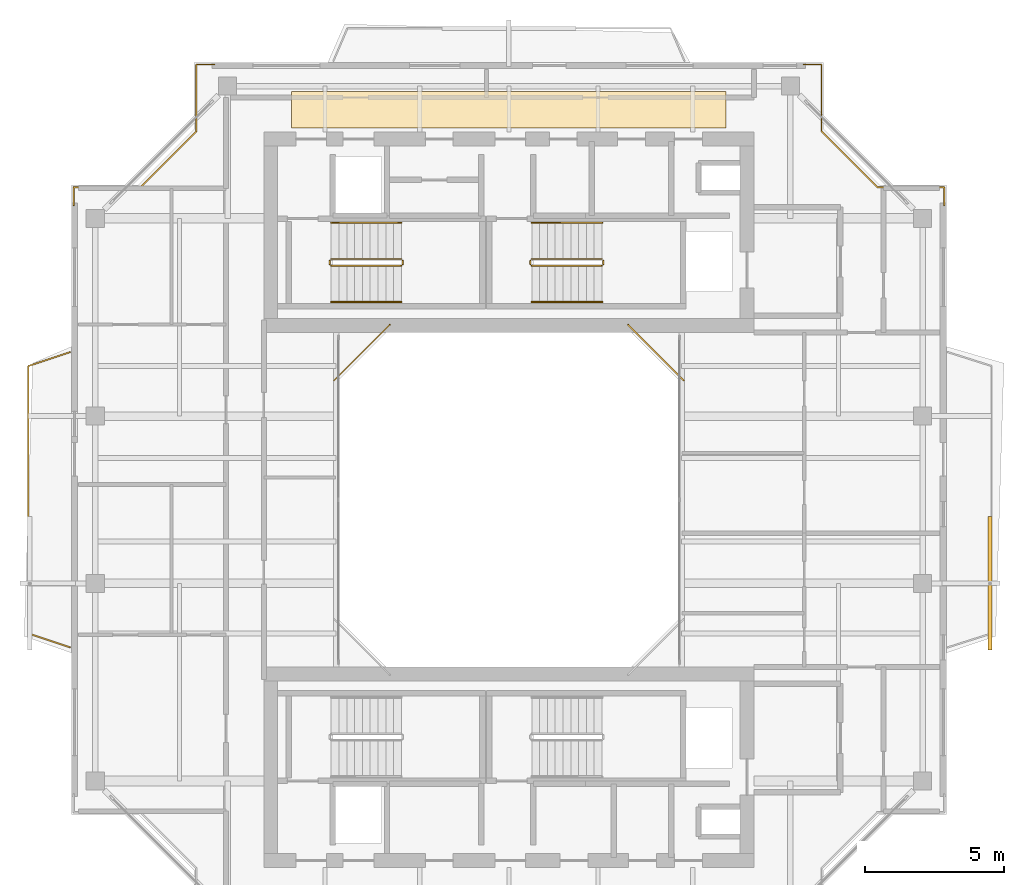
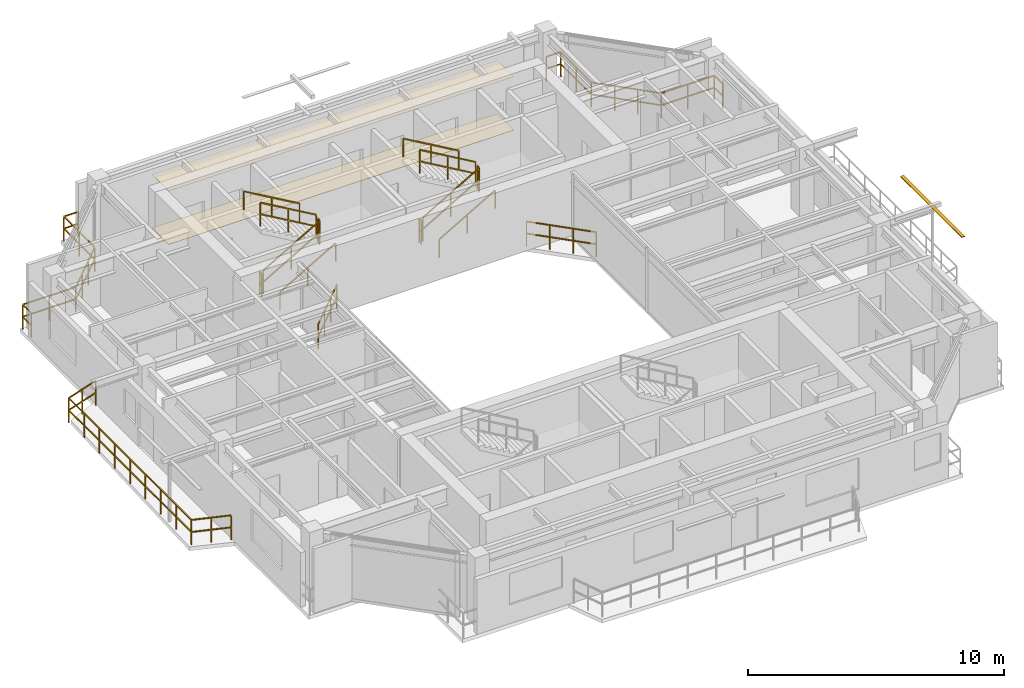
# One storey, part 14 of 15: 17 railings, 2 coverings, 1 shading device.
"""IFC4 building model written with IfcOpenShell, lengths in metres."""

from ifc_helpers import new_model, si_unit, direction, frame, origin, origin_2d, place, context, subcontext, project, spatial, polyline, rectangle, outline, extrude, source, transform, mapped, material, layer, layer_set, material_profile, profile_set, type_object, element, save


model = new_model("IFC4")

# Units and contexts
model_context = context("Model", 3, precision=1e-05, world=origin(), true_north=direction((0.0, 1.0)))
body_context = subcontext(model_context, "Body", "Model", "MODEL_VIEW")
ifc_project = project(units=[si_unit("LENGTHUNIT", "METRE"), si_unit("AREAUNIT", "SQUARE_METRE"), si_unit("VOLUMEUNIT", "CUBIC_METRE"), si_unit("PLANEANGLEUNIT", "RADIAN"), si_unit("MASSUNIT", "GRAM", prefix="KILO"), si_unit("THERMODYNAMICTEMPERATUREUNIT", "KELVIN"), si_unit("POWERUNIT", "WATT")], contexts=[model_context])

# Site, building, storey
site_placement = place(None, origin())
site = spatial("IfcSite", under=ifc_project, at=site_placement, CompositionType="ELEMENT")
building_placement = place(site_placement, origin())
building = spatial("IfcBuilding", under=site, at=building_placement, Name="Qiaomeng Ring Towers", CompositionType="ELEMENT")
storey_placement = place(building_placement, frame((0.0, 0.0, 250.25)))
storey = spatial("IfcBuildingStorey", under=building, at=storey_placement, Name="L73", CompositionType="ELEMENT", Elevation=250.25)

# Coverings
ifc_material_1 = material(Name="Moisture-resistant gypsum ceiling board", Category="gypsum")
ifc_layer_1 = layer(ifc_material_1, 0.030029296875, Name="Moisture-resistant gypsum ceiling board")
ifc_layer_set_1 = layer_set([ifc_layer_1], Name="Moisture-resistant gypsum ceiling board")
covering_type_1 = type_object("IfcCoveringType", Name="ARC-COV-CEIL2", PredefinedType="CEILING", material=ifc_layer_set_1)
covering_1_placement = place(storey_placement, frame((0.0, 0.0, 2.550048828125)))
element("IfcCovering", 1, at=covering_1_placement, inside=storey, type_object=covering_type_1, Name="L73 Corridor Acoustic Ceiling", PredefinedType="CEILING", context=body_context, shape_type="SweptSolid", body=[
    extrude(outline(polyline([(11.199951171875, 36.35009765625), (11.199951171875, 37.64990234375), (26.800048828125, 37.64990234375), (26.800048828125, 36.35009765625), (11.199951171875, 36.35009765625)])), origin(), (0.0, 0.0, 1.0), 0.02490234375),
])
ifc_material_2 = material(Name="Vitrified porcelain floor tile", Category="ceramic")
ifc_layer_2 = layer(ifc_material_2, 0.02001953125, Name="Vitrified porcelain floor tile")
ifc_layer_set_2 = layer_set([ifc_layer_2], Name="Vitrified porcelain floor tile")
covering_type_2 = type_object("IfcCoveringType", Name="ARC-COV-FLR1", PredefinedType="FLOORING", material=ifc_layer_set_2)
covering_2_placement = place(storey_placement, origin())
element("IfcCovering", 2, at=covering_2_placement, inside=storey, type_object=covering_type_2, Name="L73 Corridor Stone Flooring", PredefinedType="FLOORING", context=body_context, shape_type="SweptSolid", body=[
    extrude(outline(polyline([(11.199951171875, 36.35009765625), (11.199951171875, 37.64990234375), (26.800048828125, 37.64990234375), (26.800048828125, 36.35009765625), (11.199951171875, 36.35009765625)])), origin(), (0.0, 0.0, 1.0), 0.02001953125),
])

# Railings
ifc_material_3 = material(Name="Low-E pale-green laminated safety glass", Category="glass")
railing_type_1 = type_object("IfcRailingType", Name="ARC-RL-BAL1", PredefinedType="BALUSTRADE", material=ifc_material_3)
railing_1_placement = place(storey_placement, frame((25.280029296875, 27.280029296875, 0.0)))
element("IfcRailing", 3, at=railing_1_placement, inside=storey, type_object=railing_type_1, Name="L73 Balustrade ARC-BAL-WELL1-L73-2", PredefinedType="BALUSTRADE", context=body_context, shape_type="SweptSolid", body=[
    extrude(rectangle(XDim=0.048095703125, YDim=0.048095703125, at=origin_2d()), frame((0.0, 0.0, 1.17578125), z_axis=(-0.707106781187, 0.707106781187, 0.0), x_axis=(-0.707106781187, -0.707106781187, 0.0)), (0.0, 0.0, 1.0), 2.828369140625),
    extrude(rectangle(XDim=0.048095703125, YDim=0.048095703125, at=origin_2d()), frame((0.0, 0.0, 0.60009765625), z_axis=(-0.707106781187, 0.707106781187, 0.0), x_axis=(-0.707106781187, -0.707106781187, 0.0)), (0.0, 0.0, 1.0), 2.828369140625),
    extrude(rectangle(XDim=0.0419921875, YDim=0.0419921875, at=origin_2d()), origin(), (0.0, 0.0, 1.0), 1.15185546875),
    extrude(rectangle(XDim=0.0419921875, YDim=0.0419921875, at=origin_2d()), frame((-0.666748046875, 0.666748046875, 0.0)), (0.0, 0.0, 1.0), 1.15185546875),
    extrude(rectangle(XDim=0.0419921875, YDim=0.0419921875, at=origin_2d()), frame((-1.333251953125, 1.333251953125, 0.0)), (0.0, 0.0, 1.0), 1.15185546875),
    extrude(rectangle(XDim=0.0419921875, YDim=0.0419921875, at=origin_2d()), frame((-2.0, 2.0, 0.0)), (0.0, 0.0, 1.0), 1.15185546875),
])
railing_2_placement = place(storey_placement, frame((14.719970703125, 29.280029296875, 0.0)))
element("IfcRailing", 4, at=railing_2_placement, inside=storey, type_object=railing_type_1, Name="L73 Balustrade ARC-BAL-WELL1-L73-3", PredefinedType="BALUSTRADE", context=body_context, shape_type="SweptSolid", body=[
    extrude(rectangle(XDim=0.048095703125, YDim=0.048095703125, at=origin_2d()), frame((0.0, 0.0, 1.17578125), z_axis=(-0.707106781187, -0.707106781187, 0.0), x_axis=(0.707106781187, -0.707106781187, 0.0)), (0.0, 0.0, 1.0), 2.828369140625),
    extrude(rectangle(XDim=0.048095703125, YDim=0.048095703125, at=origin_2d()), frame((0.0, 0.0, 0.60009765625), z_axis=(-0.707106781187, -0.707106781187, 0.0), x_axis=(0.707106781187, -0.707106781187, 0.0)), (0.0, 0.0, 1.0), 2.828369140625),
    extrude(rectangle(XDim=0.0419921875, YDim=0.0419921875, at=origin_2d()), origin(), (0.0, 0.0, 1.0), 1.15185546875),
    extrude(rectangle(XDim=0.0419921875, YDim=0.0419921875, at=origin_2d()), frame((-0.666748046875, -0.666748046875, 0.0)), (0.0, 0.0, 1.0), 1.15185546875),
    extrude(rectangle(XDim=0.0419921875, YDim=0.0419921875, at=origin_2d()), frame((-1.333251953125, -1.333251953125, 0.0)), (0.0, 0.0, 1.0), 1.15185546875),
    extrude(rectangle(XDim=0.0419921875, YDim=0.0419921875, at=origin_2d()), frame((-2.0, -2.0, 0.0)), (0.0, 0.0, 1.0), 1.15185546875),
])
railing_3_placement = place(storey_placement, frame((34.6201171875, 33.570068359375, 0.0)))
element("IfcRailing", 5, at=railing_3_placement, inside=storey, type_object=railing_type_1, Name="L73 Balustrade ARC-BAL-NOTCH1-L73-NE", PredefinedType="BALUSTRADE", context=body_context, shape_type="SweptSolid", body=[
    extrude(rectangle(XDim=0.048095703125, YDim=0.048095703125, at=origin_2d()), frame((0.0, 0.0, 1.17578125), z_axis=(0.0, 1.0, 0.0), x_axis=(-1.0, 0.0, 0.0)), (0.0, 0.0, 1.0), 0.64990234375),
    extrude(rectangle(XDim=0.048095703125, YDim=0.048095703125, at=origin_2d()), frame((0.0, 0.0, 0.60009765625), z_axis=(0.0, 1.0, 0.0), x_axis=(-1.0, 0.0, 0.0)), (0.0, 0.0, 1.0), 0.64990234375),
    extrude(rectangle(XDim=0.048095703125, YDim=0.048095703125, at=origin_2d()), frame((0.0, 0.64990234375, 1.17578125), z_axis=(-1.0, 0.0, 0.0), x_axis=(0.0, -1.0, 0.0)), (0.0, 0.0, 1.0), 2.400146484375),
    extrude(rectangle(XDim=0.048095703125, YDim=0.048095703125, at=origin_2d()), frame((0.0, 0.64990234375, 0.60009765625), z_axis=(-1.0, 0.0, 0.0), x_axis=(0.0, -1.0, 0.0)), (0.0, 0.0, 1.0), 2.400146484375),
    extrude(rectangle(XDim=0.048095703125, YDim=0.048095703125, at=origin_2d()), frame((-2.400146484375, 0.64990234375, 1.17578125), z_axis=(-0.707106781187, 0.707106781187, 0.0), x_axis=(-0.707106781187, -0.707106781187, 0.0)), (0.0, 0.0, 1.0), 2.828369140625),
    extrude(rectangle(XDim=0.048095703125, YDim=0.048095703125, at=origin_2d()), frame((-2.400146484375, 0.64990234375, 0.60009765625), z_axis=(-0.707106781187, 0.707106781187, 0.0), x_axis=(-0.707106781187, -0.707106781187, 0.0)), (0.0, 0.0, 1.0), 2.828369140625),
    extrude(rectangle(XDim=0.048095703125, YDim=0.048095703125, at=origin_2d()), frame((-4.400146484375, 2.64990234375, 1.17578125), z_axis=(0.0, 1.0, 0.0), x_axis=(-1.0, 0.0, 0.0)), (0.0, 0.0, 1.0), 2.400146484375),
    extrude(rectangle(XDim=0.048095703125, YDim=0.048095703125, at=origin_2d()), frame((-4.400146484375, 2.64990234375, 0.60009765625), z_axis=(0.0, 1.0, 0.0), x_axis=(-1.0, 0.0, 0.0)), (0.0, 0.0, 1.0), 2.400146484375),
    extrude(rectangle(XDim=0.048095703125, YDim=0.048095703125, at=origin_2d()), frame((-4.400146484375, 5.050048828125, 1.17578125), z_axis=(-1.0, 0.0, 0.0), x_axis=(0.0, -1.0, 0.0)), (0.0, 0.0, 1.0), 0.64990234375),
    extrude(rectangle(XDim=0.048095703125, YDim=0.048095703125, at=origin_2d()), frame((-4.400146484375, 5.050048828125, 0.60009765625), z_axis=(-1.0, 0.0, 0.0), x_axis=(0.0, -1.0, 0.0)), (0.0, 0.0, 1.0), 0.64990234375),
    extrude(rectangle(XDim=0.0419921875, YDim=0.0419921875, at=origin_2d()), origin(), (0.0, 0.0, 1.0), 1.15185546875),
    extrude(rectangle(XDim=0.0419921875, YDim=0.0419921875, at=origin_2d()), frame((0.0, 0.64990234375, 0.0)), (0.0, 0.0, 1.0), 1.15185546875),
    extrude(rectangle(XDim=0.0419921875, YDim=0.0419921875, at=origin_2d()), frame((-1.2001953125, 0.64990234375, 0.0)), (0.0, 0.0, 1.0), 1.15185546875),
    extrude(rectangle(XDim=0.0419921875, YDim=0.0419921875, at=origin_2d()), frame((-2.400146484375, 0.64990234375, 0.0)), (0.0, 0.0, 1.0), 1.15185546875),
    extrude(rectangle(XDim=0.0419921875, YDim=0.0419921875, at=origin_2d()), frame((-3.06689453125, 1.316650390625, 0.0)), (0.0, 0.0, 1.0), 1.15185546875),
    extrude(rectangle(XDim=0.0419921875, YDim=0.0419921875, at=origin_2d()), frame((-3.7333984375, 1.983154296875, 0.0)), (0.0, 0.0, 1.0), 1.15185546875),
    extrude(rectangle(XDim=0.0419921875, YDim=0.0419921875, at=origin_2d()), frame((-4.400146484375, 2.64990234375, 0.0)), (0.0, 0.0, 1.0), 1.15185546875),
    extrude(rectangle(XDim=0.0419921875, YDim=0.0419921875, at=origin_2d()), frame((-4.400146484375, 3.85009765625, 0.0)), (0.0, 0.0, 1.0), 1.15185546875),
    extrude(rectangle(XDim=0.0419921875, YDim=0.0419921875, at=origin_2d()), frame((-4.400146484375, 5.050048828125, 0.0)), (0.0, 0.0, 1.0), 1.15185546875),
    extrude(rectangle(XDim=0.0419921875, YDim=0.0419921875, at=origin_2d()), frame((-5.050048828125, 5.050048828125, 0.0)), (0.0, 0.0, 1.0), 1.15185546875),
])
railing_4_placement = place(storey_placement, frame((8.429931640625, 38.6201171875, 0.0)))
element("IfcRailing", 6, at=railing_4_placement, inside=storey, type_object=railing_type_1, Name="L73 Balustrade ARC-BAL-NOTCH1-L73-NW", PredefinedType="BALUSTRADE", context=body_context, shape_type="SweptSolid", body=[
    extrude(rectangle(XDim=0.048095703125, YDim=0.048095703125, at=origin_2d()), frame((0.0, 0.0, 1.17578125), z_axis=(-1.0, 0.0, 0.0), x_axis=(0.0, -1.0, 0.0)), (0.0, 0.0, 1.0), 0.64990234375),
    extrude(rectangle(XDim=0.048095703125, YDim=0.048095703125, at=origin_2d()), frame((0.0, 0.0, 0.60009765625), z_axis=(-1.0, 0.0, 0.0), x_axis=(0.0, -1.0, 0.0)), (0.0, 0.0, 1.0), 0.64990234375),
    extrude(rectangle(XDim=0.048095703125, YDim=0.048095703125, at=origin_2d()), frame((-0.64990234375, 0.0, 1.17578125), z_axis=(0.0, -1.0, 0.0), x_axis=(1.0, 0.0, 0.0)), (0.0, 0.0, 1.0), 2.400146484375),
    extrude(rectangle(XDim=0.048095703125, YDim=0.048095703125, at=origin_2d()), frame((-0.64990234375, 0.0, 0.60009765625), z_axis=(0.0, -1.0, 0.0), x_axis=(1.0, 0.0, 0.0)), (0.0, 0.0, 1.0), 2.400146484375),
    extrude(rectangle(XDim=0.048095703125, YDim=0.048095703125, at=origin_2d()), frame((-0.64990234375, -2.400146484375, 1.17578125), z_axis=(-0.707106781187, -0.707106781187, 0.0), x_axis=(0.707106781187, -0.707106781187, 0.0)), (0.0, 0.0, 1.0), 2.828369140625),
    extrude(rectangle(XDim=0.048095703125, YDim=0.048095703125, at=origin_2d()), frame((-0.64990234375, -2.400146484375, 0.60009765625), z_axis=(-0.707106781187, -0.707106781187, 0.0), x_axis=(0.707106781187, -0.707106781187, 0.0)), (0.0, 0.0, 1.0), 2.828369140625),
    extrude(rectangle(XDim=0.048095703125, YDim=0.048095703125, at=origin_2d()), frame((-2.64990234375, -4.400146484375, 1.17578125), z_axis=(-1.0, 0.0, 0.0), x_axis=(0.0, -1.0, 0.0)), (0.0, 0.0, 1.0), 2.400146484375),
    extrude(rectangle(XDim=0.048095703125, YDim=0.048095703125, at=origin_2d()), frame((-2.64990234375, -4.400146484375, 0.60009765625), z_axis=(-1.0, 0.0, 0.0), x_axis=(0.0, -1.0, 0.0)), (0.0, 0.0, 1.0), 2.400146484375),
    extrude(rectangle(XDim=0.048095703125, YDim=0.048095703125, at=origin_2d()), frame((-5.050048828125, -4.400146484375, 1.17578125), z_axis=(0.0, -1.0, 0.0), x_axis=(1.0, 0.0, 0.0)), (0.0, 0.0, 1.0), 0.64990234375),
    extrude(rectangle(XDim=0.048095703125, YDim=0.048095703125, at=origin_2d()), frame((-5.050048828125, -4.400146484375, 0.60009765625), z_axis=(0.0, -1.0, 0.0), x_axis=(1.0, 0.0, 0.0)), (0.0, 0.0, 1.0), 0.64990234375),
    extrude(rectangle(XDim=0.0419921875, YDim=0.0419921875, at=origin_2d()), origin(), (0.0, 0.0, 1.0), 1.15185546875),
    extrude(rectangle(XDim=0.0419921875, YDim=0.0419921875, at=origin_2d()), frame((-0.64990234375, 0.0, 0.0)), (0.0, 0.0, 1.0), 1.15185546875),
    extrude(rectangle(XDim=0.0419921875, YDim=0.0419921875, at=origin_2d()), frame((-0.64990234375, -1.2001953125, 0.0)), (0.0, 0.0, 1.0), 1.15185546875),
    extrude(rectangle(XDim=0.0419921875, YDim=0.0419921875, at=origin_2d()), frame((-0.64990234375, -2.400146484375, 0.0)), (0.0, 0.0, 1.0), 1.15185546875),
    extrude(rectangle(XDim=0.0419921875, YDim=0.0419921875, at=origin_2d()), frame((-1.316650390625, -3.06689453125, 0.0)), (0.0, 0.0, 1.0), 1.15185546875),
    extrude(rectangle(XDim=0.0419921875, YDim=0.0419921875, at=origin_2d()), frame((-1.983154296875, -3.7333984375, 0.0)), (0.0, 0.0, 1.0), 1.15185546875),
    extrude(rectangle(XDim=0.0419921875, YDim=0.0419921875, at=origin_2d()), frame((-2.64990234375, -4.400146484375, 0.0)), (0.0, 0.0, 1.0), 1.15185546875),
    extrude(rectangle(XDim=0.0419921875, YDim=0.0419921875, at=origin_2d()), frame((-3.85009765625, -4.400146484375, 0.0)), (0.0, 0.0, 1.0), 1.15185546875),
    extrude(rectangle(XDim=0.0419921875, YDim=0.0419921875, at=origin_2d()), frame((-5.050048828125, -4.400146484375, 0.0)), (0.0, 0.0, 1.0), 1.15185546875),
    extrude(rectangle(XDim=0.0419921875, YDim=0.0419921875, at=origin_2d()), frame((-5.050048828125, -5.050048828125, 0.0)), (0.0, 0.0, 1.0), 1.15185546875),
])
railing_5_placement = place(storey_placement, frame((3.25, 17.699951171875, 0.0)))
element("IfcRailing", 7, at=railing_5_placement, inside=storey, type_object=railing_type_1, Name="L73 Balustrade ARC-BAL-L73-T1-W", PredefinedType="BALUSTRADE", context=body_context, shape_type="SweptSolid", body=[
    extrude(rectangle(XDim=0.048095703125, YDim=0.048095703125, at=origin_2d()), frame((0.0, 0.0, 1.17578125), z_axis=(-0.948683298051, 0.316227766017, 0.0), x_axis=(-0.316227766017, -0.948683298051, 0.0)), (0.0, 0.0, 1.0), 1.5810546875),
    extrude(rectangle(XDim=0.048095703125, YDim=0.048095703125, at=origin_2d()), frame((0.0, 0.0, 0.60009765625), z_axis=(-0.948683298051, 0.316227766017, 0.0), x_axis=(-0.316227766017, -0.948683298051, 0.0)), (0.0, 0.0, 1.0), 1.5810546875),
    extrude(rectangle(XDim=0.048095703125, YDim=0.048095703125, at=origin_2d()), frame((-1.5, 0.5, 1.17578125), z_axis=(0.0, 1.0, 0.0), x_axis=(-1.0, 0.0, 0.0)), (0.0, 0.0, 1.0), 9.60009765625),
    extrude(rectangle(XDim=0.048095703125, YDim=0.048095703125, at=origin_2d()), frame((-1.5, 0.5, 0.60009765625), z_axis=(0.0, 1.0, 0.0), x_axis=(-1.0, 0.0, 0.0)), (0.0, 0.0, 1.0), 9.60009765625),
    extrude(rectangle(XDim=0.048095703125, YDim=0.048095703125, at=origin_2d()), frame((-1.5, 10.10009765625, 1.17578125), z_axis=(0.948683298051, 0.316227766017, 0.0), x_axis=(-0.316227766017, 0.948683298051, 0.0)), (0.0, 0.0, 1.0), 1.5810546875),
    extrude(rectangle(XDim=0.048095703125, YDim=0.048095703125, at=origin_2d()), frame((-1.5, 10.10009765625, 0.60009765625), z_axis=(0.948683298051, 0.316227766017, 0.0), x_axis=(-0.316227766017, 0.948683298051, 0.0)), (0.0, 0.0, 1.0), 1.5810546875),
    extrude(rectangle(XDim=0.0419921875, YDim=0.0419921875, at=origin_2d()), origin(), (0.0, 0.0, 1.0), 1.15185546875),
    extrude(rectangle(XDim=0.0419921875, YDim=0.0419921875, at=origin_2d()), frame((-0.75, 0.25, 0.0)), (0.0, 0.0, 1.0), 1.15185546875),
    extrude(rectangle(XDim=0.0419921875, YDim=0.0419921875, at=origin_2d()), frame((-1.5, 0.5, 0.0)), (0.0, 0.0, 1.0), 1.15185546875),
    extrude(rectangle(XDim=0.0419921875, YDim=0.0419921875, at=origin_2d()), frame((-1.5, 1.699951171875, 0.0)), (0.0, 0.0, 1.0), 1.15185546875),
    extrude(rectangle(XDim=0.0419921875, YDim=0.0419921875, at=origin_2d()), frame((-1.5, 2.89990234375, 0.0)), (0.0, 0.0, 1.0), 1.15185546875),
    extrude(rectangle(XDim=0.0419921875, YDim=0.0419921875, at=origin_2d()), frame((-1.5, 4.10009765625, 0.0)), (0.0, 0.0, 1.0), 1.15185546875),
    extrude(rectangle(XDim=0.0419921875, YDim=0.0419921875, at=origin_2d()), frame((-1.5, 5.300048828125, 0.0)), (0.0, 0.0, 1.0), 1.15185546875),
    extrude(rectangle(XDim=0.0419921875, YDim=0.0419921875, at=origin_2d()), frame((-1.5, 6.5, 0.0)), (0.0, 0.0, 1.0), 1.15185546875),
    extrude(rectangle(XDim=0.0419921875, YDim=0.0419921875, at=origin_2d()), frame((-1.5, 7.7001953125, 0.0)), (0.0, 0.0, 1.0), 1.15185546875),
    extrude(rectangle(XDim=0.0419921875, YDim=0.0419921875, at=origin_2d()), frame((-1.5, 8.900146484375, 0.0)), (0.0, 0.0, 1.0), 1.15185546875),
    extrude(rectangle(XDim=0.0419921875, YDim=0.0419921875, at=origin_2d()), frame((-1.5, 10.10009765625, 0.0)), (0.0, 0.0, 1.0), 1.15185546875),
    extrude(rectangle(XDim=0.0419921875, YDim=0.0419921875, at=origin_2d()), frame((-0.75, 10.35009765625, 0.0)), (0.0, 0.0, 1.0), 1.15185546875),
    extrude(rectangle(XDim=0.0419921875, YDim=0.0419921875, at=origin_2d()), frame((0.0, 10.60009765625, 0.0)), (0.0, 0.0, 1.0), 1.15185546875),
])
ifc_material_4 = material(Name="Galvanised steel", Category="steel")
railing_type_2 = type_object("IfcRailingType", Name="ARC-RL-GUARD", PredefinedType="GUARDRAIL", material=ifc_material_4)
railing_6_placement = place(storey_placement, frame((12.6201171875, 31.39990234375, 0.16259765625)))
element("IfcRailing", 8, at=railing_6_placement, inside=storey, type_object=railing_type_2, Name="L73 ST1 stair guard 1", PredefinedType="GUARDRAIL", context=body_context, shape_type="SweptSolid", body=[
    extrude(rectangle(XDim=0.048095703125, YDim=0.048095703125, at=origin_2d()), frame((0.0, 0.0, 1.1259765625), z_axis=(0.864892226395, 0.0, 0.501957604506), x_axis=(0.0, 1.0, 0.0)), (0.0, 0.0, 1.0), 2.913330078125),
    extrude(rectangle(XDim=0.048095703125, YDim=0.048095703125, at=origin_2d()), frame((0.0, 0.0, 0.574951171875), z_axis=(0.864892226395, 0.0, 0.501957604506), x_axis=(0.0, 1.0, 0.0)), (0.0, 0.0, 1.0), 2.913330078125),
    extrude(rectangle(XDim=0.0419921875, YDim=0.0419921875, at=origin_2d()), origin(), (0.0, 0.0, 1.0), 1.101806640625),
    extrude(rectangle(XDim=0.0419921875, YDim=0.0419921875, at=origin_2d()), frame((1.259765625, 0.0, 0.731201171875)), (0.0, 0.0, 1.0), 1.101806640625),
    extrude(rectangle(XDim=0.0419921875, YDim=0.0419921875, at=origin_2d()), frame((2.519775390625, 0.0, 1.46240234375)), (0.0, 0.0, 1.0), 1.101806640625),
])
railing_7_placement = place(storey_placement, frame((15.18994140625, 31.449951171875, 1.625)))
element("IfcRailing", 9, at=railing_7_placement, inside=storey, type_object=railing_type_2, Name="L73 ST1 stair guard 2", PredefinedType="GUARDRAIL", context=body_context, shape_type="SweptSolid", body=[
    extrude(rectangle(XDim=0.048095703125, YDim=0.048095703125, at=origin_2d()), frame((0.0, 0.0, 1.1259765625), z_axis=(0.0, 1.0, 0.0), x_axis=(-1.0, 0.0, 0.0)), (0.0, 0.0, 1.0), 0.14013671875),
    extrude(rectangle(XDim=0.048095703125, YDim=0.048095703125, at=origin_2d()), frame((0.0, 0.0, 0.574951171875), z_axis=(0.0, 1.0, 0.0), x_axis=(-1.0, 0.0, 0.0)), (0.0, 0.0, 1.0), 0.14013671875),
    extrude(rectangle(XDim=0.0419921875, YDim=0.0419921875, at=origin_2d()), origin(), (0.0, 0.0, 1.0), 1.101806640625),
    extrude(rectangle(XDim=0.0419921875, YDim=0.0419921875, at=origin_2d()), frame((0.0, 0.14013671875, 0.0)), (0.0, 0.0, 1.0), 1.101806640625),
])
railing_8_placement = place(storey_placement, frame((15.139892578125, 31.639892578125, 1.78759765625)))
element("IfcRailing", 10, at=railing_8_placement, inside=storey, type_object=railing_type_2, Name="L73 ST1 stair guard 3", PredefinedType="GUARDRAIL", context=body_context, shape_type="SweptSolid", body=[
    extrude(rectangle(XDim=0.048095703125, YDim=0.048095703125, at=origin_2d()), frame((0.0, 0.0, 1.1259765625), z_axis=(-0.864892226395, 0.0, 0.501957604506), x_axis=(0.0, -1.0, 0.0)), (0.0, 0.0, 1.0), 2.913330078125),
    extrude(rectangle(XDim=0.048095703125, YDim=0.048095703125, at=origin_2d()), frame((0.0, 0.0, 0.574951171875), z_axis=(-0.864892226395, 0.0, 0.501957604506), x_axis=(0.0, -1.0, 0.0)), (0.0, 0.0, 1.0), 2.913330078125),
    extrude(rectangle(XDim=0.0419921875, YDim=0.0419921875, at=origin_2d()), origin(), (0.0, 0.0, 1.0), 1.101806640625),
    extrude(rectangle(XDim=0.0419921875, YDim=0.0419921875, at=origin_2d()), frame((-1.259765625, 0.0, 0.731201171875)), (0.0, 0.0, 1.0), 1.101806640625),
    extrude(rectangle(XDim=0.0419921875, YDim=0.0419921875, at=origin_2d()), frame((-2.519775390625, 0.0, 1.46240234375)), (0.0, 0.0, 1.0), 1.101806640625),
])
railing_9_placement = place(storey_placement, frame((12.570068359375, 31.449951171875, 0.0)))
element("IfcRailing", 11, at=railing_9_placement, inside=storey, type_object=railing_type_2, Name="L73 ST1 stair guard 4", PredefinedType="GUARDRAIL", context=body_context, shape_type="SweptSolid", body=[
    extrude(rectangle(XDim=0.048095703125, YDim=0.048095703125, at=origin_2d()), frame((0.0, 0.0, 1.1259765625), z_axis=(0.0, 1.0, 0.0), x_axis=(-1.0, 0.0, 0.0)), (0.0, 0.0, 1.0), 0.14013671875),
    extrude(rectangle(XDim=0.048095703125, YDim=0.048095703125, at=origin_2d()), frame((0.0, 0.0, 0.574951171875), z_axis=(0.0, 1.0, 0.0), x_axis=(-1.0, 0.0, 0.0)), (0.0, 0.0, 1.0), 0.14013671875),
    extrude(rectangle(XDim=0.0419921875, YDim=0.0419921875, at=origin_2d()), origin(), (0.0, 0.0, 1.0), 1.101806640625),
    extrude(rectangle(XDim=0.0419921875, YDim=0.0419921875, at=origin_2d()), frame((0.0, 0.14013671875, 0.0)), (0.0, 0.0, 1.0), 1.101806640625),
])
railing_10_placement = place(storey_placement, frame((19.820068359375, 31.39990234375, 0.16259765625)))
element("IfcRailing", 12, at=railing_10_placement, inside=storey, type_object=railing_type_2, Name="L73 ST2 stair guard 1", PredefinedType="GUARDRAIL", context=body_context, shape_type="SweptSolid", body=[
    extrude(rectangle(XDim=0.048095703125, YDim=0.048095703125, at=origin_2d()), frame((0.0, 0.0, 1.1259765625), z_axis=(0.864913338283, 0.0, 0.50192122615), x_axis=(0.0, 1.0, 0.0)), (0.0, 0.0, 1.0), 2.91357421875),
    extrude(rectangle(XDim=0.048095703125, YDim=0.048095703125, at=origin_2d()), frame((0.0, 0.0, 0.574951171875), z_axis=(0.864913338283, 0.0, 0.50192122615), x_axis=(0.0, 1.0, 0.0)), (0.0, 0.0, 1.0), 2.91357421875),
    extrude(rectangle(XDim=0.0419921875, YDim=0.0419921875, at=origin_2d()), origin(), (0.0, 0.0, 1.0), 1.101806640625),
    extrude(rectangle(XDim=0.0419921875, YDim=0.0419921875, at=origin_2d()), frame((1.260009765625, 0.0, 0.731201171875)), (0.0, 0.0, 1.0), 1.101806640625),
    extrude(rectangle(XDim=0.0419921875, YDim=0.0419921875, at=origin_2d()), frame((2.52001953125, 0.0, 1.46240234375)), (0.0, 0.0, 1.0), 1.101806640625),
])
railing_11_placement = place(storey_placement, frame((22.389892578125, 31.449951171875, 1.625)))
element("IfcRailing", 13, at=railing_11_placement, inside=storey, type_object=railing_type_2, Name="L73 ST2 stair guard 2", PredefinedType="GUARDRAIL", context=body_context, shape_type="SweptSolid", body=[
    extrude(rectangle(XDim=0.048095703125, YDim=0.048095703125, at=origin_2d()), frame((0.0, 0.0, 1.1259765625), z_axis=(0.0, 1.0, 0.0), x_axis=(-1.0, 0.0, 0.0)), (0.0, 0.0, 1.0), 0.14013671875),
    extrude(rectangle(XDim=0.048095703125, YDim=0.048095703125, at=origin_2d()), frame((0.0, 0.0, 0.574951171875), z_axis=(0.0, 1.0, 0.0), x_axis=(-1.0, 0.0, 0.0)), (0.0, 0.0, 1.0), 0.14013671875),
    extrude(rectangle(XDim=0.0419921875, YDim=0.0419921875, at=origin_2d()), origin(), (0.0, 0.0, 1.0), 1.101806640625),
    extrude(rectangle(XDim=0.0419921875, YDim=0.0419921875, at=origin_2d()), frame((0.0, 0.14013671875, 0.0)), (0.0, 0.0, 1.0), 1.101806640625),
])
railing_12_placement = place(storey_placement, frame((22.340087890625, 31.639892578125, 1.78759765625)))
element("IfcRailing", 14, at=railing_12_placement, inside=storey, type_object=railing_type_2, Name="L73 ST2 stair guard 3", PredefinedType="GUARDRAIL", context=body_context, shape_type="SweptSolid", body=[
    extrude(rectangle(XDim=0.048095703125, YDim=0.048095703125, at=origin_2d()), frame((0.0, 0.0, 1.1259765625), z_axis=(-0.864913338283, 0.0, 0.50192122615), x_axis=(0.0, -1.0, 0.0)), (0.0, 0.0, 1.0), 2.91357421875),
    extrude(rectangle(XDim=0.048095703125, YDim=0.048095703125, at=origin_2d()), frame((0.0, 0.0, 0.574951171875), z_axis=(-0.864913338283, 0.0, 0.50192122615), x_axis=(0.0, -1.0, 0.0)), (0.0, 0.0, 1.0), 2.91357421875),
    extrude(rectangle(XDim=0.0419921875, YDim=0.0419921875, at=origin_2d()), origin(), (0.0, 0.0, 1.0), 1.101806640625),
    extrude(rectangle(XDim=0.0419921875, YDim=0.0419921875, at=origin_2d()), frame((-1.260009765625, 0.0, 0.731201171875)), (0.0, 0.0, 1.0), 1.101806640625),
    extrude(rectangle(XDim=0.0419921875, YDim=0.0419921875, at=origin_2d()), frame((-2.52001953125, 0.0, 1.46240234375)), (0.0, 0.0, 1.0), 1.101806640625),
])
railing_13_placement = place(storey_placement, frame((19.77001953125, 31.449951171875, 0.0)))
element("IfcRailing", 15, at=railing_13_placement, inside=storey, type_object=railing_type_2, Name="L73 ST2 stair guard 4", PredefinedType="GUARDRAIL", context=body_context, shape_type="SweptSolid", body=[
    extrude(rectangle(XDim=0.048095703125, YDim=0.048095703125, at=origin_2d()), frame((0.0, 0.0, 1.1259765625), z_axis=(0.0, 1.0, 0.0), x_axis=(-1.0, 0.0, 0.0)), (0.0, 0.0, 1.0), 0.14013671875),
    extrude(rectangle(XDim=0.048095703125, YDim=0.048095703125, at=origin_2d()), frame((0.0, 0.0, 0.574951171875), z_axis=(0.0, 1.0, 0.0), x_axis=(-1.0, 0.0, 0.0)), (0.0, 0.0, 1.0), 0.14013671875),
    extrude(rectangle(XDim=0.0419921875, YDim=0.0419921875, at=origin_2d()), origin(), (0.0, 0.0, 1.0), 1.101806640625),
    extrude(rectangle(XDim=0.0419921875, YDim=0.0419921875, at=origin_2d()), frame((0.0, 0.14013671875, 0.0)), (0.0, 0.0, 1.0), 1.101806640625),
])
ifc_material_5 = material(Name="Stainless steel 316", Category="steel")
railing_type_3 = type_object("IfcRailingType", Name="ARC-RL-HAND", PredefinedType="HANDRAIL", material=ifc_material_5)
railing_14_placement = place(storey_placement, frame((12.6201171875, 30.10009765625, 0.16259765625)))
element("IfcRailing", 16, at=railing_14_placement, inside=storey, type_object=railing_type_3, Name="L73 ST1 stair handrail 1", PredefinedType="HANDRAIL", context=body_context, shape_type="SweptSolid", body=[
    extrude(rectangle(XDim=0.048095703125, YDim=0.048095703125, at=origin_2d()), frame((0.0, 0.0, 0.8759765625), z_axis=(0.864892226395, 0.0, 0.501957604506), x_axis=(0.0, 1.0, 0.0)), (0.0, 0.0, 1.0), 2.913330078125),
    extrude(rectangle(XDim=0.0419921875, YDim=0.0419921875, at=origin_2d()), origin(), (0.0, 0.0, 1.0), 0.851806640625),
    extrude(rectangle(XDim=0.0419921875, YDim=0.0419921875, at=origin_2d()), frame((1.259765625, 0.0, 0.731201171875)), (0.0, 0.0, 1.0), 0.851806640625),
    extrude(rectangle(XDim=0.0419921875, YDim=0.0419921875, at=origin_2d()), frame((2.519775390625, 0.0, 1.46240234375)), (0.0, 0.0, 1.0), 0.851806640625),
])
railing_15_placement = place(storey_placement, frame((15.139892578125, 32.93994140625, 1.78759765625)))
element("IfcRailing", 17, at=railing_15_placement, inside=storey, type_object=railing_type_3, Name="L73 ST1 stair handrail 2", PredefinedType="HANDRAIL", context=body_context, shape_type="SweptSolid", body=[
    extrude(rectangle(XDim=0.048095703125, YDim=0.048095703125, at=origin_2d()), frame((0.0, 0.0, 0.8759765625), z_axis=(-0.864892226395, 0.0, 0.501957604506), x_axis=(0.0, -1.0, 0.0)), (0.0, 0.0, 1.0), 2.913330078125),
    extrude(rectangle(XDim=0.0419921875, YDim=0.0419921875, at=origin_2d()), origin(), (0.0, 0.0, 1.0), 0.851806640625),
    extrude(rectangle(XDim=0.0419921875, YDim=0.0419921875, at=origin_2d()), frame((-1.259765625, 0.0, 0.731201171875)), (0.0, 0.0, 1.0), 0.851806640625),
    extrude(rectangle(XDim=0.0419921875, YDim=0.0419921875, at=origin_2d()), frame((-2.519775390625, 0.0, 1.46240234375)), (0.0, 0.0, 1.0), 0.851806640625),
])
railing_16_placement = place(storey_placement, frame((19.820068359375, 30.10009765625, 0.16259765625)))
element("IfcRailing", 18, at=railing_16_placement, inside=storey, type_object=railing_type_3, Name="L73 ST2 stair handrail 1", PredefinedType="HANDRAIL", context=body_context, shape_type="SweptSolid", body=[
    extrude(rectangle(XDim=0.048095703125, YDim=0.048095703125, at=origin_2d()), frame((0.0, 0.0, 0.8759765625), z_axis=(0.864913338283, 0.0, 0.50192122615), x_axis=(0.0, 1.0, 0.0)), (0.0, 0.0, 1.0), 2.91357421875),
    extrude(rectangle(XDim=0.0419921875, YDim=0.0419921875, at=origin_2d()), origin(), (0.0, 0.0, 1.0), 0.851806640625),
    extrude(rectangle(XDim=0.0419921875, YDim=0.0419921875, at=origin_2d()), frame((1.260009765625, 0.0, 0.731201171875)), (0.0, 0.0, 1.0), 0.851806640625),
    extrude(rectangle(XDim=0.0419921875, YDim=0.0419921875, at=origin_2d()), frame((2.52001953125, 0.0, 1.46240234375)), (0.0, 0.0, 1.0), 0.851806640625),
])
railing_17_placement = place(storey_placement, frame((22.340087890625, 32.93994140625, 1.78759765625)))
element("IfcRailing", 19, at=railing_17_placement, inside=storey, type_object=railing_type_3, Name="L73 ST2 stair handrail 2", PredefinedType="HANDRAIL", context=body_context, shape_type="SweptSolid", body=[
    extrude(rectangle(XDim=0.048095703125, YDim=0.048095703125, at=origin_2d()), frame((0.0, 0.0, 0.8759765625), z_axis=(-0.864913338283, 0.0, 0.50192122615), x_axis=(0.0, -1.0, 0.0)), (0.0, 0.0, 1.0), 2.91357421875),
    extrude(rectangle(XDim=0.0419921875, YDim=0.0419921875, at=origin_2d()), origin(), (0.0, 0.0, 1.0), 0.851806640625),
    extrude(rectangle(XDim=0.0419921875, YDim=0.0419921875, at=origin_2d()), frame((-1.260009765625, 0.0, 0.731201171875)), (0.0, 0.0, 1.0), 0.851806640625),
    extrude(rectangle(XDim=0.0419921875, YDim=0.0419921875, at=origin_2d()), frame((-2.52001953125, 0.0, 1.46240234375)), (0.0, 0.0, 1.0), 0.851806640625),
])

# Shading device
ifc_material_6 = material(Name="Fluorocarbon dark-grey aluminium", Category="aluminium")
ifc_material_profile = material_profile(ifc_material_6, rectangle(XDim=0.14990234375, YDim=0.034912109375, at=origin_2d()), Name="LV BLADE 150x35")
ifc_profile_set = profile_set([ifc_material_profile], Name="Fluorocarbon dark-grey aluminium")
shading_device_type = type_object("IfcShadingDeviceType", Name="ARC-SHD-SUN", PredefinedType="AWNING", material=ifc_profile_set)
shared_shape = source(origin(), body_context, "Body", "SweptSolid", [
    extrude(rectangle(XDim=0.14990234375, YDim=0.034912109375, at=origin_2d()), origin(), (0.0, 0.0, 1.0), 4.7998046875),
])
shading_device_placement = place(storey_placement, frame((36.27001953125, 17.60009765625, 2.969970703125), z_axis=(0.0, 1.0, 0.0), x_axis=(-1.0, 0.0, 0.0)))
element("IfcShadingDevice", 20, at=shading_device_placement, inside=storey, type_object=shading_device_type, Name="L73 Ventilated Outer-Skin Sunshade E", PredefinedType="AWNING", context=body_context, shape_type="MappedRepresentation", body=[
    mapped(shared_shape, transform((0.0, 0.0, 0.0), x_axis=(1.0, 0.0, 0.0), y_axis=(0.0, 1.0, 0.0), z_axis=(0.0, 0.0, 1.0), scale=1.0)),
])

save(model, "model.ifc")
